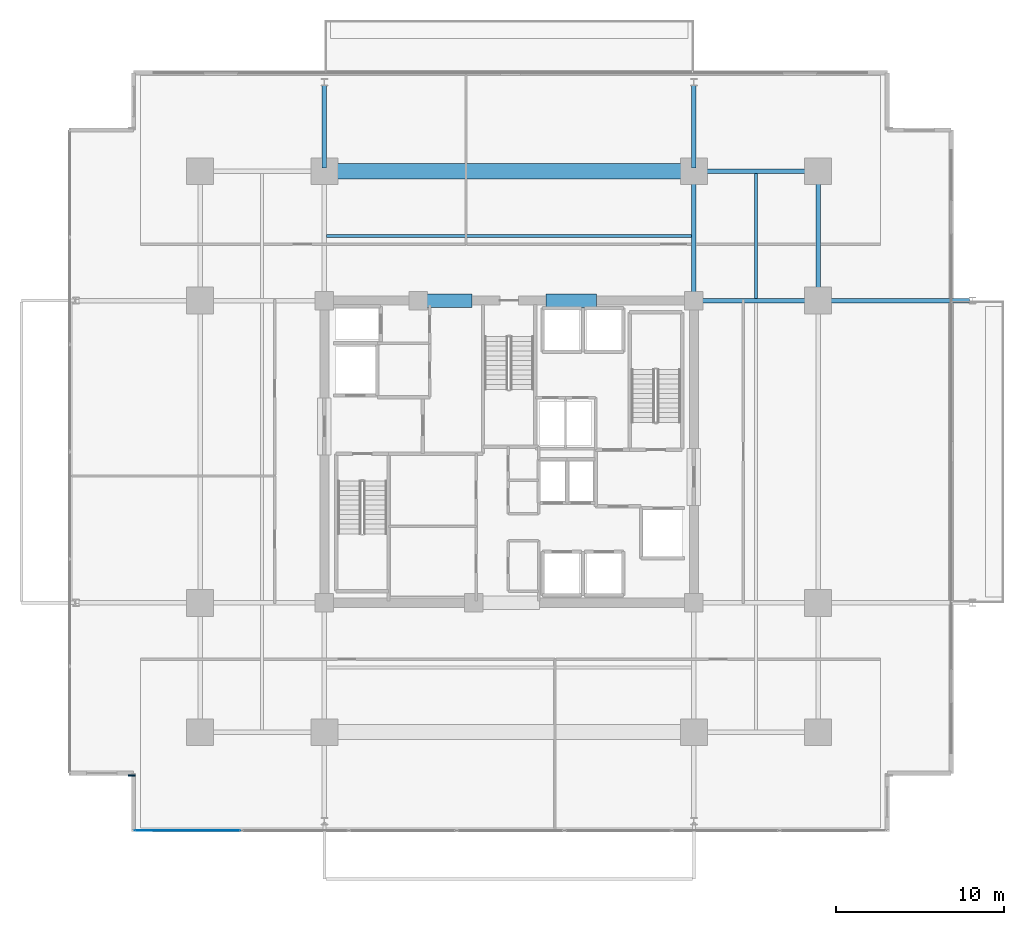
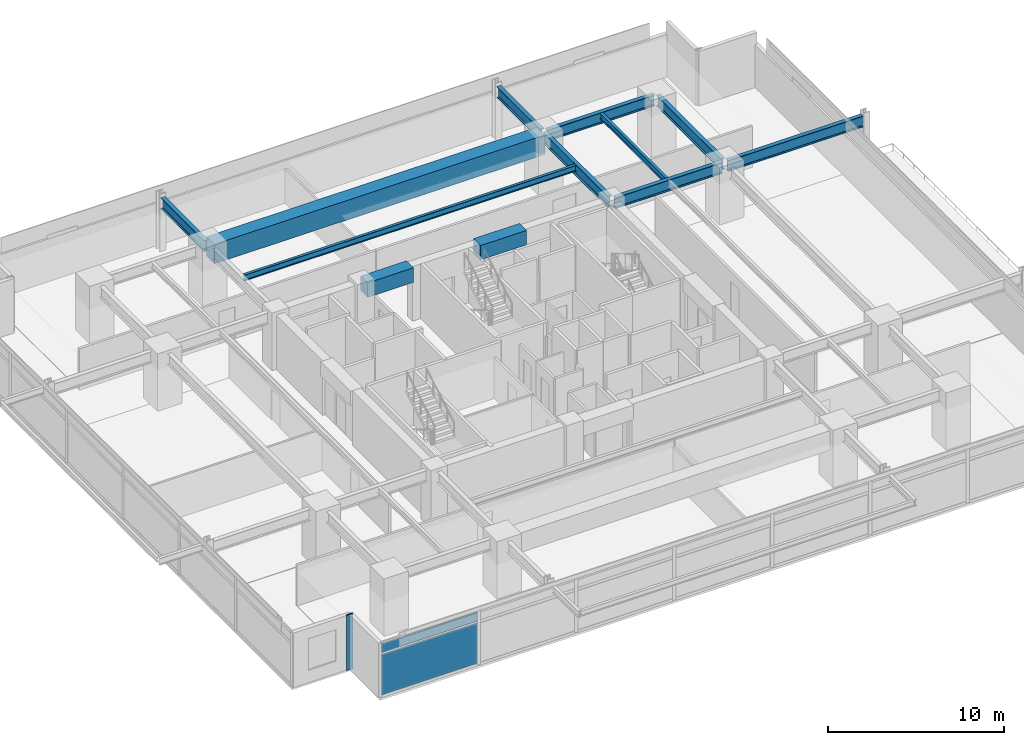
# One storey, part 13 of 24: 12 beams, 3 plates, 1 element without a shape of its own.
"""IFC4 building model written with IfcOpenShell, lengths in metres."""

from ifc_helpers import new_model, si_unit, direction, frame, origin, origin_2d, place, context, subcontext, project, spatial, rectangle, i_section, extrude, material, layer, layer_set, material_profile, profile_set, type_object, element, aggregate, save


model = new_model("IFC4")

# Units and contexts
model_context = context("Model", 3, precision=1e-05, world=origin(), true_north=direction((0.0, 1.0)))
body_context = subcontext(model_context, "Body", "Model", "MODEL_VIEW")
ifc_project = project(units=[si_unit("LENGTHUNIT", "METRE"), si_unit("AREAUNIT", "SQUARE_METRE"), si_unit("VOLUMEUNIT", "CUBIC_METRE"), si_unit("PLANEANGLEUNIT", "RADIAN"), si_unit("MASSUNIT", "GRAM", prefix="KILO")], contexts=[model_context])

# Site, building, storey
site_placement = place(None, origin())
site = spatial("IfcSite", under=ifc_project, at=site_placement, CompositionType="ELEMENT")
building_placement = place(site_placement, origin())
building = spatial("IfcBuilding", under=site, at=building_placement, Name="Kovane Verandah Tower", CompositionType="ELEMENT")
storey_placement = place(building_placement, frame((0.0, 0.0, 132.39990234375)))
storey = spatial("IfcBuildingStorey", under=building, at=storey_placement, Name="L30", CompositionType="ELEMENT", Elevation=132.39990234375)

# Beams
ifc_material_1 = material(Name="Concrete C60/75", Category="concrete")
ifc_material_profile_1 = material_profile(ifc_material_1, rectangle(XDim=0.800048828125, YDim=1.0, at=origin_2d()), Name="RCB800x1000")
ifc_profile_set_1 = profile_set([ifc_material_profile_1], Name="Concrete C60/75")
beam_type_1 = type_object("IfcBeamType", Name="BM-LINTEL-800x1000", PredefinedType="LINTEL", material=ifc_profile_set_1)
for number, where, z_axis, x_axis, name in (
    (1, (34.800048828125, 36.5, 3.275146484375), (1.0, 0.0, 0.0), (0.0, 1.0, 0.0), "L30 Core Coupling Lintel CL-N1"),
    (2, (42.199951171875, 36.5, 3.275146484375), (1.0, 0.0, 0.0), (0.0, 1.0, 0.0), "L30 Core Coupling Lintel CL-N2"),
):
    element("IfcBeam", number, at=place(storey_placement, frame(where, z_axis=z_axis, x_axis=x_axis)), inside=storey, type_object=beam_type_1, Name=name, PredefinedType="LINTEL", context=body_context, shape_type="SweptSolid", body=[
        extrude(rectangle(XDim=0.800048828125, YDim=1.0, at=origin_2d()), origin(), (0.0, 0.0, 1.0), 3.0),
    ])
ifc_material_2 = material(Name="Concrete C80/95", Category="concrete")
ifc_material_profile_2 = material_profile(ifc_material_2, rectangle(XDim=0.89990234375, YDim=1.35009765625, at=origin_2d()), Name="RCB900x1350")
ifc_profile_set_2 = profile_set([ifc_material_profile_2], Name="Concrete C80/95")
beam_type_2 = type_object("IfcBeamType", Name="BM-TR-900x1350", PredefinedType="BEAM", material=ifc_profile_set_2)
beam_1_placement = place(storey_placement, frame((29.179931640625, 44.199951171875, 3.10009765625), z_axis=(1.0, 0.0, 0.0), x_axis=(0.0, 1.0, 0.0)))
element("IfcBeam", 3, at=beam_1_placement, inside=storey, type_object=beam_type_2, Name="L30 Primary Tower Girder G-RN2", PredefinedType="BEAM", context=body_context, shape_type="SweptSolid", body=[
    extrude(rectangle(XDim=0.89990234375, YDim=1.35009765625, at=origin_2d()), origin(), (0.0, 0.0, 1.0), 21.64013671875),
])
ifc_material_3 = material(Name="Steel S355", Category="steel")
ifc_material_profile_3 = material_profile(ifc_material_3, i_section(OverallWidth=0.26806640625, OverallDepth=0.769775390625, WebThickness=0.015625, FlangeThickness=0.025390625, FilletRadius=0.0166015625, at=origin_2d()), Name="UB762x267x197")
ifc_profile_set_3 = profile_set([ifc_material_profile_3], Name="Steel S355")
beam_type_3 = type_object("IfcBeamType", Name="BM-UB762x197", PredefinedType="BEAM", material=ifc_profile_set_3)
beam_2_placement = place(storey_placement, frame((51.179931640625, 44.199951171875, 3.39013671875), z_axis=(1.0, 0.0, 0.0), x_axis=(0.0, 1.0, 0.0)))
element("IfcBeam", 4, at=beam_2_placement, inside=storey, type_object=beam_type_3, Name="L30 Primary Tower Girder G-RN3", PredefinedType="BEAM", context=body_context, shape_type="SweptSolid", body=[
    extrude(i_section(OverallWidth=0.26806640625, OverallDepth=0.769775390625, WebThickness=0.015625, FlangeThickness=0.025390625, FilletRadius=0.0166015625, at=origin_2d()), origin(), (0.0, 0.0, 1.0), 7.0400390625),
])
beam_3_placement = place(storey_placement, frame((58.39990234375, 36.679931640625, 3.39013671875), z_axis=(0.0, 1.0, 0.0), x_axis=(-1.0, 0.0, 0.0)))
element("IfcBeam", 5, at=beam_3_placement, inside=storey, type_object=beam_type_3, Name="L30 Primary Tower Girder G-RE3", PredefinedType="BEAM", context=body_context, shape_type="SweptSolid", body=[
    extrude(i_section(OverallWidth=0.26806640625, OverallDepth=0.769775390625, WebThickness=0.015625, FlangeThickness=0.025390625, FilletRadius=0.0166015625, at=origin_2d()), origin(), (0.0, 0.0, 1.0), 7.340087890625),
])
beam_4_placement = place(storey_placement, frame((51.179931640625, 36.5, 3.39013671875), z_axis=(1.0, 0.0, 0.0), x_axis=(0.0, 1.0, 0.0)))
element("IfcBeam", 6, at=beam_4_placement, inside=storey, type_object=beam_type_3, Name="L30 Primary Tower Girder G-E2", PredefinedType="BEAM", context=body_context, shape_type="SweptSolid", body=[
    extrude(i_section(OverallWidth=0.26806640625, OverallDepth=0.769775390625, WebThickness=0.015625, FlangeThickness=0.025390625, FilletRadius=0.0166015625, at=origin_2d()), origin(), (0.0, 0.0, 1.0), 7.0400390625),
])
beam_5_placement = place(storey_placement, frame((51.0, 36.679931640625, 3.39013671875), z_axis=(0.0, 1.0, 0.0), x_axis=(-1.0, 0.0, 0.0)))
element("IfcBeam", 7, at=beam_5_placement, inside=storey, type_object=beam_type_3, Name="L30 Primary Tower Girder G-N2", PredefinedType="BEAM", context=body_context, shape_type="SweptSolid", body=[
    extrude(i_section(OverallWidth=0.26806640625, OverallDepth=0.769775390625, WebThickness=0.015625, FlangeThickness=0.025390625, FilletRadius=0.0166015625, at=origin_2d()), origin(), (0.0, 0.0, 1.0), 7.340087890625),
])
beam_6_placement = place(storey_placement, frame((58.580078125, 36.5, 3.375244140625), z_axis=(1.0, 0.0, 0.0), x_axis=(0.0, 1.0, 0.0)))
element("IfcBeam", 8, at=beam_6_placement, inside=storey, type_object=beam_type_3, Name="L30 Primary Tower Girder G-VE2", PredefinedType="BEAM", context=body_context, shape_type="SweptSolid", body=[
    extrude(i_section(OverallWidth=0.26806640625, OverallDepth=0.769775390625, WebThickness=0.015625, FlangeThickness=0.025390625, FilletRadius=0.0166015625, at=origin_2d()), origin(), (0.0, 0.0, 1.0), 8.83984375),
])
for number, where, z_axis, x_axis, name in (
    (9, (29.0, 44.3798828125, 3.375244140625), (0.0, 1.0, 0.0), (-1.0, 0.0, 0.0), "L30 Primary Tower Girder G-VN1"),
    (10, (51.0, 44.3798828125, 3.375244140625), (0.0, 1.0, 0.0), (-1.0, 0.0, 0.0), "L30 Primary Tower Girder G-VN2"),
):
    element("IfcBeam", number, at=place(storey_placement, frame(where, z_axis=z_axis, x_axis=x_axis)), inside=storey, type_object=beam_type_3, Name=name, PredefinedType="BEAM", context=body_context, shape_type="SweptSolid", body=[
        extrude(i_section(OverallWidth=0.26806640625, OverallDepth=0.769775390625, WebThickness=0.015625, FlangeThickness=0.025390625, FilletRadius=0.0166015625, at=origin_2d()), origin(), (0.0, 0.0, 1.0), 4.940185546875),
    ])
ifc_material_profile_4 = material_profile(ifc_material_3, i_section(OverallWidth=0.179443359375, OverallDepth=0.412841796875, WebThickness=0.009521484375, FlangeThickness=0.01611328125, FilletRadius=0.01025390625, at=origin_2d()), Name="UB406x178x74")
ifc_profile_set_4 = profile_set([ifc_material_profile_4], Name="Steel S355")
beam_type_4 = type_object("IfcBeamType", Name="JST-UB406x74", PredefinedType="JOIST", material=ifc_profile_set_4)
beam_7_placement = place(storey_placement, frame((29.132080078125, 40.35009765625, 3.568603515625), z_axis=(1.0, 0.0, 0.0), x_axis=(0.0, 1.0, 0.0)))
element("IfcBeam", 11, at=beam_7_placement, inside=storey, type_object=beam_type_4, Name="L30 Secondary Composite Joist J-N1", PredefinedType="JOIST", context=body_context, shape_type="SweptSolid", body=[
    extrude(i_section(OverallWidth=0.179443359375, OverallDepth=0.412841796875, WebThickness=0.009521484375, FlangeThickness=0.01611328125, FilletRadius=0.01025390625, at=origin_2d()), origin(), (0.0, 0.0, 1.0), 21.73583984375),
])
beam_8_placement = place(storey_placement, frame((54.699951171875, 36.632080078125, 3.568603515625), z_axis=(0.0, 1.0, 0.0), x_axis=(-1.0, 0.0, 0.0)))
element("IfcBeam", 12, at=beam_8_placement, inside=storey, type_object=beam_type_4, Name="L30 Secondary Composite Joist J-NE1", PredefinedType="JOIST", context=body_context, shape_type="SweptSolid", body=[
    extrude(i_section(OverallWidth=0.179443359375, OverallDepth=0.412841796875, WebThickness=0.009521484375, FlangeThickness=0.01611328125, FilletRadius=0.01025390625, at=origin_2d()), origin(), (0.0, 0.0, 1.0), 7.43603515625),
])

# Curtain wall, plates
ifc_material_4 = material(Name="Champagne Anodised Aluminium Frame with Low-E Clear Laminated Glass", Category="aluminium")
curtain_wall_type = type_object("IfcCurtainWallType", Name="CW-SYS-03-MID", PredefinedType="NOTDEFINED", material=ifc_material_4)
curtain_wall_placement = place(storey_placement, origin())
curtain_wall = element("IfcCurtainWall", 13, at=curtain_wall_placement, inside=storey, type_object=curtain_wall_type, Name="L30 S Unitised Curtain Wall", PredefinedType="NOTDEFINED")
ifc_material_5 = material(Name="Pale Champagne Anodised Aluminium Insulated Spandrel", Category="aluminium")
ifc_layer_1 = layer(ifc_material_5, 0.0400390625)
ifc_layer_set_1 = layer_set([ifc_layer_1], Name="Pale Champagne Anodised Aluminium Insulated Spandrel")
plate_type_1 = type_object("IfcPlateType", Name="PL-CW-SPD-40", PredefinedType="SHEET", material=ifc_layer_set_1)
plate_1_placement = place(storey_placement, frame((20.843017578125, 4.9462890625, 3.044921875), z_axis=(0.0, 0.0, 1.0), x_axis=(1.0, 0.0, 0.0)))
plate_1 = element("IfcPlate", 14, at=plate_1_placement, type_object=plate_type_1, Name="L30 S Unitised Curtain Wall Spandrel Panel 1", PredefinedType="SHEET", context=body_context, shape_type="SweptSolid", body=[
    extrude(rectangle(XDim=6.27099609375, YDim=0.0400390625, at=origin_2d()), origin(), (0.0, 0.0, 1.0), 0.639892578125),
])
ifc_material_6 = material(Name="Clear Low-E Laminated Double Glazing", Category="glass")
ifc_layer_2 = layer(ifc_material_6, 0.031982421875)
ifc_layer_set_2 = layer_set([ifc_layer_2], Name="Clear Low-E Laminated Double Glazing")
plate_type_2 = type_object("IfcPlateType", Name="PL-CW-VIS-32", PredefinedType="CURTAIN_PANEL", material=ifc_layer_set_2)
plate_2_placement = place(storey_placement, frame((20.843017578125, 4.9462890625, 0.10009765625), z_axis=(0.0, 0.0, 1.0), x_axis=(1.0, 0.0, 0.0)))
plate_2 = element("IfcPlate", 15, at=plate_2_placement, type_object=plate_type_2, Name="L30 S Unitised Curtain Wall Vision Panel 1", PredefinedType="CURTAIN_PANEL", context=body_context, shape_type="SweptSolid", body=[
    extrude(rectangle(XDim=6.27099609375, YDim=0.031982421875, at=origin_2d()), origin(), (0.0, 0.0, 1.0), 2.844970703125),
])
aggregate(curtain_wall, [plate_2, plate_1])

# Plate
ifc_material_7 = material(Name="Timber-Toned Subtropical Aluminium Vertical Blade", Category="wood")
ifc_layer_3 = layer(ifc_material_7, 0.090087890625)
ifc_layer_set_3 = layer_set([ifc_layer_3], Name="Timber-Toned Subtropical Aluminium Vertical Blade")
plate_type_3 = type_object("IfcPlateType", Name="PL-FIN-90", PredefinedType="USERDEFINED", material=ifc_layer_set_3)
plate_3_placement = place(storey_placement, frame((17.517578125, 8.226318359375, -0.019775390625), z_axis=(0.0, 0.0, 1.0), x_axis=(1.0, 0.0, 0.0)))
element("IfcPlate", 16, at=plate_3_placement, inside=storey, type_object=plate_type_3, Name="L30 SW Timber-Toned Vertical Corner Fin", ObjectType="FIN", PredefinedType="USERDEFINED", context=body_context, shape_type="SweptSolid", body=[
    extrude(rectangle(XDim=0.419921875, YDim=0.090087890625, at=origin_2d()), origin(), (0.0, 0.0, 1.0), 3.8349609375),
])

save(model, "model.ifc")
